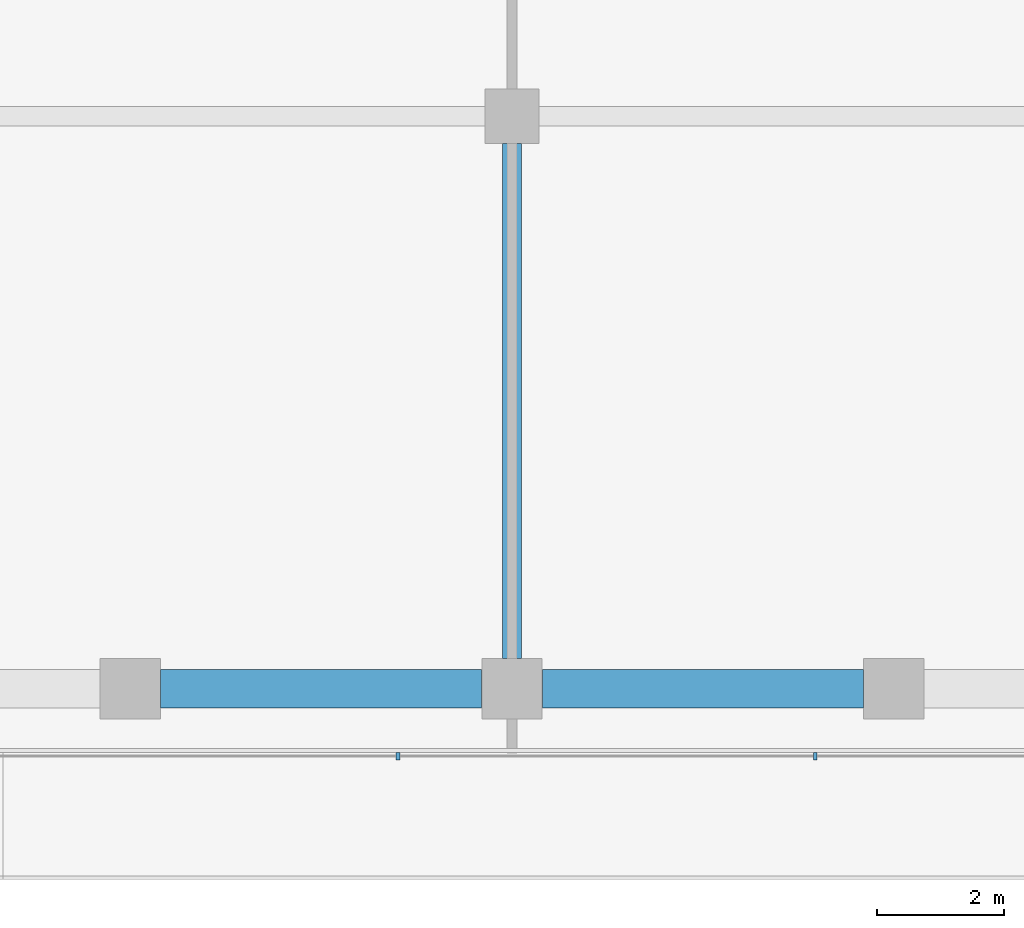
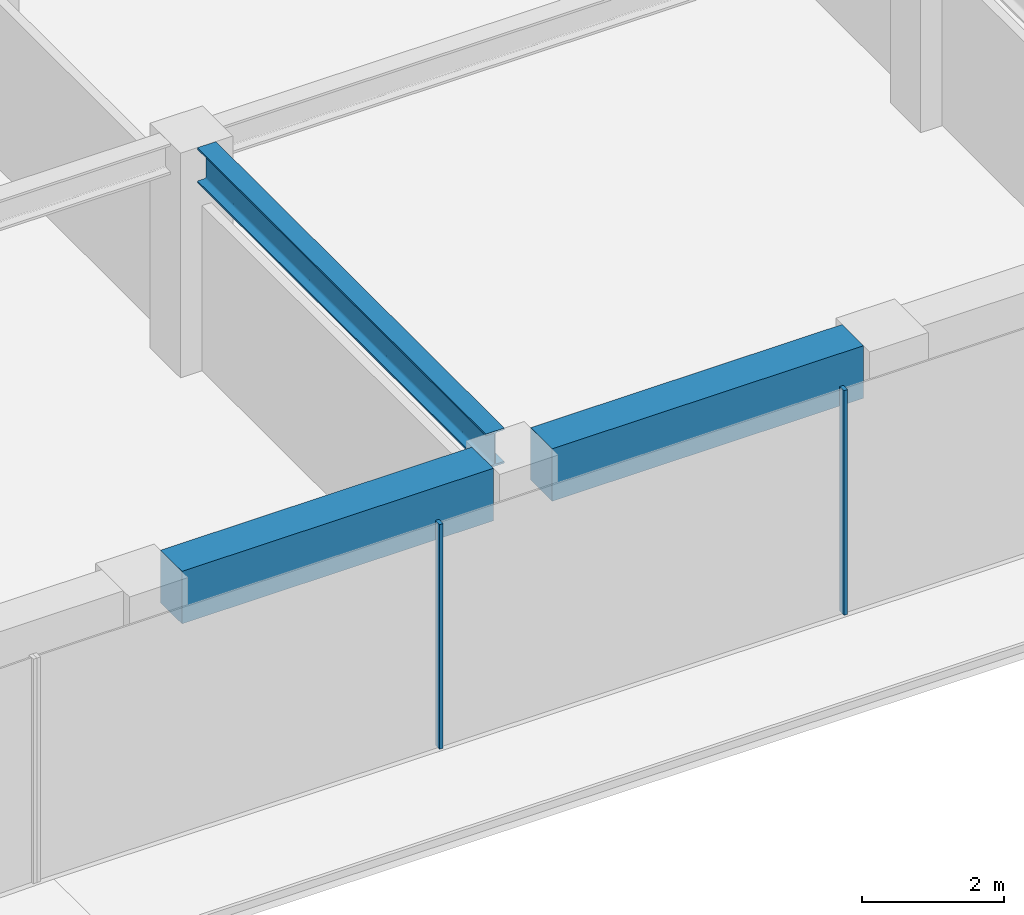
# One storey, part 7 of 29: 3 beams, 2 members, 1 element without a shape of its own.
"""IFC4 building model written with IfcOpenShell, lengths in metres."""

from ifc_helpers import new_model, si_unit, direction, frame, origin, origin_2d, place, context, subcontext, project, spatial, rectangle, i_section, extrude, material, layer, layer_set, material_profile, profile_set, type_object, element, aggregate, save


model = new_model("IFC4")

# Units and contexts
model_context = context("Model", 3, precision=1e-05, world=origin(), true_north=direction((0.0, 1.0)))
body_context = subcontext(model_context, "Body", "Model", "MODEL_VIEW")
ifc_project = project(units=[si_unit("LENGTHUNIT", "METRE"), si_unit("AREAUNIT", "SQUARE_METRE"), si_unit("VOLUMEUNIT", "CUBIC_METRE"), si_unit("PLANEANGLEUNIT", "RADIAN"), si_unit("MASSUNIT", "GRAM", prefix="KILO")], contexts=[model_context])

# Site, building, storey
site_placement = place(None, origin())
site = spatial("IfcSite", under=ifc_project, at=site_placement, CompositionType="ELEMENT")
building_placement = place(site_placement, origin())
building = spatial("IfcBuilding", under=site, at=building_placement, Name="Welwitschia Terrace Campus", CompositionType="ELEMENT")
storey_placement = place(building_placement, frame((0.0, 0.0, 58.39990234375)))
storey = spatial("IfcBuildingStorey", under=building, at=storey_placement, Name="L13", CompositionType="ELEMENT", Elevation=58.39990234375)

# Curtain wall, members
ifc_material_1 = material(Name="Bronze anodised aluminium", Category="aluminium")
ifc_layer = layer(ifc_material_1, 0.1201171875)
ifc_layer_set = layer_set([ifc_layer], Name="Bronze anodised aluminium")
curtain_wall_type = type_object("IfcCurtainWallType", Name="Curtain wall CW2 tower 6000", PredefinedType="NOTDEFINED", material=ifc_layer_set)
curtain_wall_placement = place(storey_placement, origin())
curtain_wall = element("IfcCurtainWall", 1, at=curtain_wall_placement, inside=storey, type_object=curtain_wall_type, Name="CW L13.3.0", PredefinedType="NOTDEFINED")
ifc_material_2 = material(Name="Bronze anodised aluminium", Category="aluminium")
ifc_material_profile_1 = material_profile(ifc_material_2, rectangle(XDim=0.1201171875, YDim=0.06005859375, at=origin_2d()))
ifc_profile_set_1 = profile_set([ifc_material_profile_1], Name="Bronze anodised aluminium")
member_type = type_object("IfcMemberType", Name="Mullion 60x120", PredefinedType="MULLION", material=ifc_profile_set_1)
member_1_placement = place(storey_placement, frame((34.209716796875, -5.05810546875, 0.0), z_axis=(0.0, 0.0, 1.0), x_axis=(0.0, 1.0, 0.0)))
member_1 = element("IfcMember", 2, at=member_1_placement, type_object=member_type, Name="Mullion L13.3.0.1", PredefinedType="MULLION", context=body_context, shape_type="SweptSolid", body=[
    extrude(rectangle(XDim=0.1201171875, YDim=0.06005859375, at=origin_2d()), origin(), (0.0, 0.0, 1.0), 3.85009765625),
])
member_2_placement = place(storey_placement, frame((40.766845703125, -5.05810546875, 0.0), z_axis=(0.0, 0.0, 1.0), x_axis=(0.0, 1.0, 0.0)))
member_2 = element("IfcMember", 3, at=member_2_placement, type_object=member_type, Name="Mullion L13.3.0.2", PredefinedType="MULLION", context=body_context, shape_type="SweptSolid", body=[
    extrude(rectangle(XDim=0.1201171875, YDim=0.06005859375, at=origin_2d()), origin(), (0.0, 0.0, 1.0), 3.85009765625),
])
aggregate(curtain_wall, [member_1, member_2])

# Beams
ifc_material_3 = material(Name="Steel S355", Category="steel")
ifc_material_profile_2 = material_profile(ifc_material_3, i_section(OverallWidth=0.300048828125, OverallDepth=0.60009765625, WebThickness=0.015380859375, FlangeThickness=0.030029296875, FilletRadius=0.027099609375, at=origin_2d()))
ifc_profile_set_2 = profile_set([ifc_material_profile_2], Name="Steel S355")
beam_type_1 = type_object("IfcBeamType", Name="Primary beam HE 600 B", PredefinedType="BEAM", material=ifc_profile_set_2)
beam_placement = place(storey_placement, frame((36.0, -3.5244140625, 3.550048828125), z_axis=(0.0, 1.0, 0.0), x_axis=(-1.0, 0.0, 0.0)))
element("IfcBeam", 4, at=beam_placement, inside=storey, type_object=beam_type_1, Name="Primary beam PB2", PredefinedType="BEAM", context=body_context, shape_type="SweptSolid", body=[
    extrude(i_section(OverallWidth=0.300048828125, OverallDepth=0.60009765625, WebThickness=0.015380859375, FlangeThickness=0.030029296875, FilletRadius=0.027099609375, at=origin_2d()), origin(), (0.0, 0.0, 1.0), 8.098876953125),
])
ifc_material_4 = material(Name="Concrete C60/75", Category="concrete")
ifc_material_profile_3 = material_profile(ifc_material_4, rectangle(XDim=0.60009765625, YDim=0.89990234375, at=origin_2d()))
ifc_profile_set_3 = profile_set([ifc_material_profile_3], Name="Concrete C60/75")
beam_type_2 = type_object("IfcBeamType", Name="Ring spandrel 600x900", PredefinedType="SPANDREL", material=ifc_profile_set_3)
for number, where, z_axis, x_axis, name in (
    (5, (30.4755859375, -4.0, 3.400146484375), (1.0, 0.0, 0.0), (0.0, 1.0, 0.0), "Spandrel SP2"),
    (6, (36.4755859375, -4.0, 3.400146484375), (1.0, 0.0, 0.0), (0.0, 1.0, 0.0), "Spandrel SP2"),
):
    element("IfcBeam", number, at=place(storey_placement, frame(where, z_axis=z_axis, x_axis=x_axis)), inside=storey, type_object=beam_type_2, Name=name, PredefinedType="SPANDREL", context=body_context, shape_type="SweptSolid", body=[
        extrude(rectangle(XDim=0.60009765625, YDim=0.89990234375, at=origin_2d()), origin(), (0.0, 0.0, 1.0), 5.048828125),
    ])

save(model, "model.ifc")
